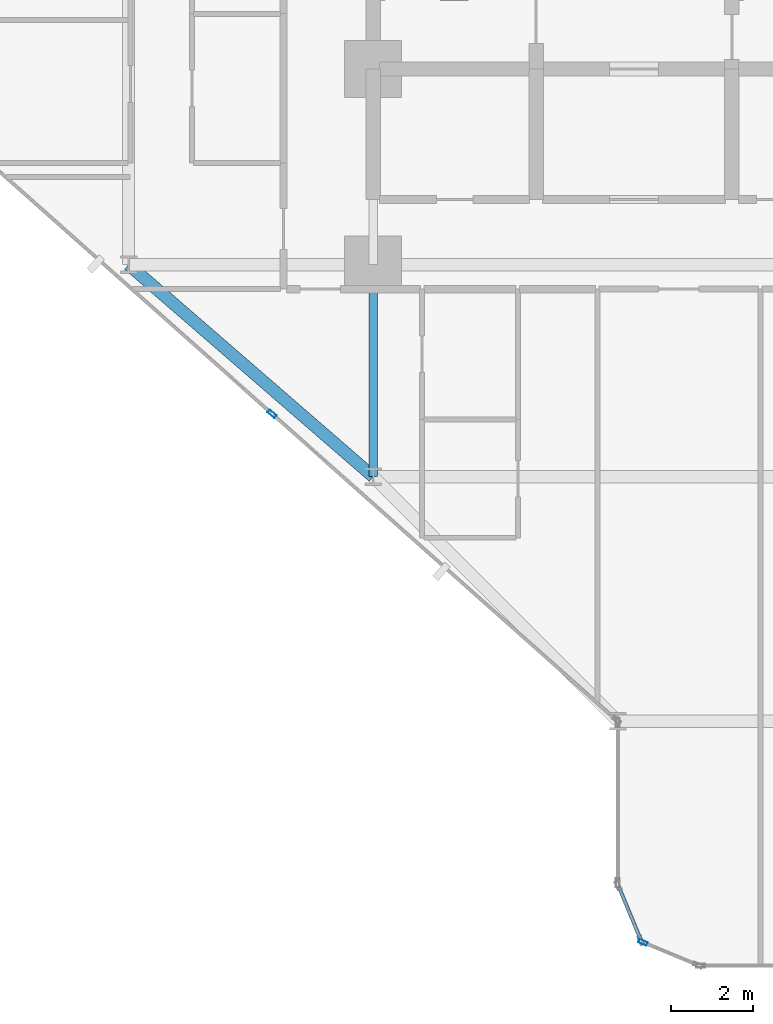
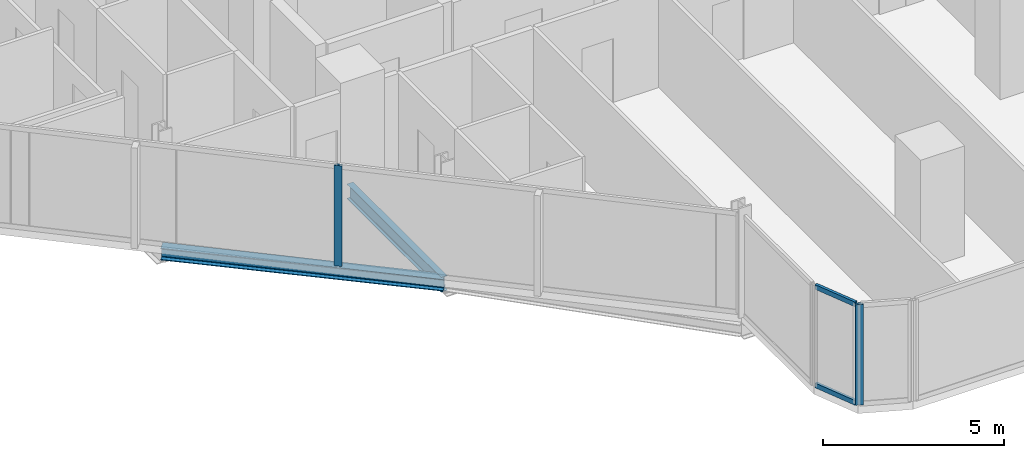
# One storey, part 2 of 34: 4 members, 2 beams, 3 elements without a shape of their own.
"""IFC4 building model written with IfcOpenShell, lengths in metres."""

from ifc_helpers import new_model, si_unit, direction, frame, origin, origin_2d, place, context, subcontext, project, spatial, hollow_rectangle, i_section, extrude, material, layer, layer_set, material_profile, profile_set, type_object, element, aggregate, save


model = new_model("IFC4")

# Units and contexts
model_context = context("Model", 3, precision=1e-05, world=origin(), true_north=direction((0.0, 1.0)))
body_context = subcontext(model_context, "Body", "Model", "MODEL_VIEW")
ifc_project = project(units=[si_unit("LENGTHUNIT", "METRE"), si_unit("AREAUNIT", "SQUARE_METRE"), si_unit("VOLUMEUNIT", "CUBIC_METRE"), si_unit("PLANEANGLEUNIT", "RADIAN"), si_unit("MASSUNIT", "GRAM", prefix="KILO")], contexts=[model_context])

# Site, building, storey
site_placement = place(None, origin())
site = spatial("IfcSite", under=ifc_project, at=site_placement, CompositionType="ELEMENT")
building_placement = place(site_placement, origin())
building = spatial("IfcBuilding", under=site, at=building_placement, Name="Keshet Zoharim Tower", CompositionType="ELEMENT")
storey_placement = place(building_placement, frame((0.0, 0.0, 46.199951171875)))
storey = spatial("IfcBuildingStorey", under=building, at=storey_placement, Name="L10", CompositionType="ELEMENT", Elevation=46.199951171875)

# Beams
ifc_material_1 = material(Name="Steel S355", Category="steel")
ifc_material_profile_1 = material_profile(ifc_material_1, i_section(OverallWidth=0.199951171875, OverallDepth=0.5, WebThickness=0.01025390625, FlangeThickness=0.01611328125, FilletRadius=0.02099609375, at=origin_2d()), Name="IPE500")
ifc_profile_set_1 = profile_set([ifc_material_profile_1], Name="Steel S355")
beam_type_1 = type_object("IfcBeamType", Name="BM-PRI-IP500", PredefinedType="BEAM", material=ifc_profile_set_1)
beam_1_placement = place(storey_placement, frame((15.0, 12.699951171875, -0.56494140625), z_axis=(0.0, 1.0, 0.0), x_axis=(-1.0, 0.0, 0.0)))
element("IfcBeam", 1, at=beam_1_placement, inside=storey, type_object=beam_type_1, Name="L10 Primary Girder Y-002", PredefinedType="BEAM", context=body_context, shape_type="SweptSolid", body=[
    extrude(i_section(OverallWidth=0.199951171875, OverallDepth=0.5, WebThickness=0.01025390625, FlangeThickness=0.01611328125, FilletRadius=0.02099609375, at=origin_2d()), origin(), (0.0, 0.0, 1.0), 5.199951171875),
])
ifc_material_profile_2 = material_profile(ifc_material_1, i_section(OverallWidth=0.300048828125, OverallDepth=0.39990234375, WebThickness=0.013427734375, FlangeThickness=0.02392578125, FilletRadius=0.027099609375, at=origin_2d()), Name="HEB400")
ifc_profile_set_2 = profile_set([ifc_material_profile_2], Name="Steel S355")
beam_type_2 = type_object("IfcBeamType", Name="BM-SPN-HB400", PredefinedType="SPANDREL", material=ifc_profile_set_2)
beam_2_placement = place(storey_placement, frame((9.0, 17.89990234375, -0.514892578125), z_axis=(0.755692126483, -0.654927026447, 0.0), x_axis=(0.654927026447, 0.755692126483, 0.0)))
element("IfcBeam", 2, at=beam_2_placement, inside=storey, type_object=beam_type_2, Name="L10 Perimeter Spandrel Beam 02", PredefinedType="SPANDREL", context=body_context, shape_type="SweptSolid", body=[
    extrude(i_section(OverallWidth=0.300048828125, OverallDepth=0.39990234375, WebThickness=0.013427734375, FlangeThickness=0.02392578125, FilletRadius=0.027099609375, at=origin_2d()), origin(), (0.0, 0.0, 1.0), 7.939697265625),
])

# Curtain wall, member
ifc_material_2 = material(Name="Aluminium 6063-T6", Category="aluminium")
ifc_layer = layer(ifc_material_2, 0.179931640625)
ifc_layer_set = layer_set([ifc_layer], Name="Aluminium 6063-T6")
curtain_wall_type = type_object("IfcCurtainWallType", Name="CW-SYS-01", PredefinedType="NOTDEFINED", material=ifc_layer_set)
curtain_wall_1_placement = place(storey_placement, origin())
curtain_wall_1 = element("IfcCurtainWall", 3, at=curtain_wall_1_placement, inside=storey, type_object=curtain_wall_type, Name="L10 Unitised Curtain Wall 01", PredefinedType="NOTDEFINED")
ifc_material_profile_3 = material_profile(ifc_material_2, hollow_rectangle(XDim=0.090087890625, YDim=0.219970703125, WallThickness=0.0048828125, at=origin_2d()), Name="MUL-90x220")
ifc_profile_set_3 = profile_set([ifc_material_profile_3], Name="Aluminium 6063-T6")
member_type_1 = type_object("IfcMemberType", Name="CWM-M22", PredefinedType="MULLION", material=ifc_profile_set_3)
member_1_placement = place(storey_placement, frame((12.517578125, 14.239990234375, 0.0), z_axis=(0.0, 0.0, 1.0), x_axis=(-0.664363838836, -0.747409318679, 0.0)))
member_1 = element("IfcMember", 4, at=member_1_placement, type_object=member_type_1, Name="CW-01 mullion 2", PredefinedType="MULLION", context=body_context, shape_type="SweptSolid", body=[
    extrude(hollow_rectangle(XDim=0.090087890625, YDim=0.219970703125, WallThickness=0.0048828125, at=origin_2d()), origin(), (0.0, 0.0, 1.0), 3.385009765625),
])
aggregate(curtain_wall_1, [member_1])

curtain_wall_2_placement = place(storey_placement, origin())
curtain_wall_2 = element("IfcCurtainWall", 5, at=curtain_wall_2_placement, inside=storey, type_object=curtain_wall_type, Name="L10 Unitised Curtain Wall 27", PredefinedType="NOTDEFINED")
member_2_placement = place(storey_placement, frame((21.618408203125, 1.272705078125, 0.0), z_axis=(0.0, 0.0, 1.0), x_axis=(-0.382851849847, -0.92380975372, 0.0)))
member_2 = element("IfcMember", 6, at=member_2_placement, type_object=member_type_1, Name="CW-01 mullion 2", PredefinedType="MULLION", context=body_context, shape_type="SweptSolid", body=[
    extrude(hollow_rectangle(XDim=0.090087890625, YDim=0.219970703125, WallThickness=0.0048828125, at=origin_2d()), origin(), (0.0, 0.0, 1.0), 3.385009765625),
])
aggregate(curtain_wall_2, [member_2])

# Curtain wall, members
curtain_wall_3_placement = place(storey_placement, origin())
curtain_wall_3 = element("IfcCurtainWall", 7, at=curtain_wall_3_placement, inside=storey, type_object=curtain_wall_type, Name="L10 Unitised Curtain Wall 28", PredefinedType="NOTDEFINED")
ifc_material_profile_4 = material_profile(ifc_material_2, hollow_rectangle(XDim=0.0849609375, YDim=0.159912109375, WallThickness=0.00439453125, at=origin_2d()), Name="TRN-85x160")
ifc_profile_set_4 = profile_set([ifc_material_profile_4], Name="Aluminium 6063-T6")
member_type_2 = type_object("IfcMemberType", Name="CWT-T16", PredefinedType="USERDEFINED", material=ifc_profile_set_4)
member_3_placement = place(storey_placement, frame((21.55908203125, 1.3505859375, 0.03515625), z_axis=(-0.382744609247, 0.923854189844, 0.0), x_axis=(-0.923854189844, -0.382744609247, 0.0)))
member_3 = element("IfcMember", 8, at=member_3_placement, type_object=member_type_2, Name="CW-01 transom 1.1", ObjectType="TRANSOM", PredefinedType="USERDEFINED", context=body_context, shape_type="SweptSolid", body=[
    extrude(hollow_rectangle(XDim=0.0849609375, YDim=0.159912109375, WallThickness=0.00439453125, at=origin_2d()), origin(), (0.0, 0.0, 1.0), 1.390625),
])
member_4_placement = place(storey_placement, frame((21.55908203125, 1.3505859375, 3.35009765625), z_axis=(-0.382744609247, 0.923854189844, 0.0), x_axis=(-0.923854189844, -0.382744609247, 0.0)))
member_4 = element("IfcMember", 9, at=member_4_placement, type_object=member_type_2, Name="CW-01 transom 1.2", ObjectType="TRANSOM", PredefinedType="USERDEFINED", context=body_context, shape_type="SweptSolid", body=[
    extrude(hollow_rectangle(XDim=0.0849609375, YDim=0.159912109375, WallThickness=0.00439453125, at=origin_2d()), origin(), (0.0, 0.0, 1.0), 1.390625),
])
aggregate(curtain_wall_3, [member_3, member_4])

save(model, "model.ifc")
